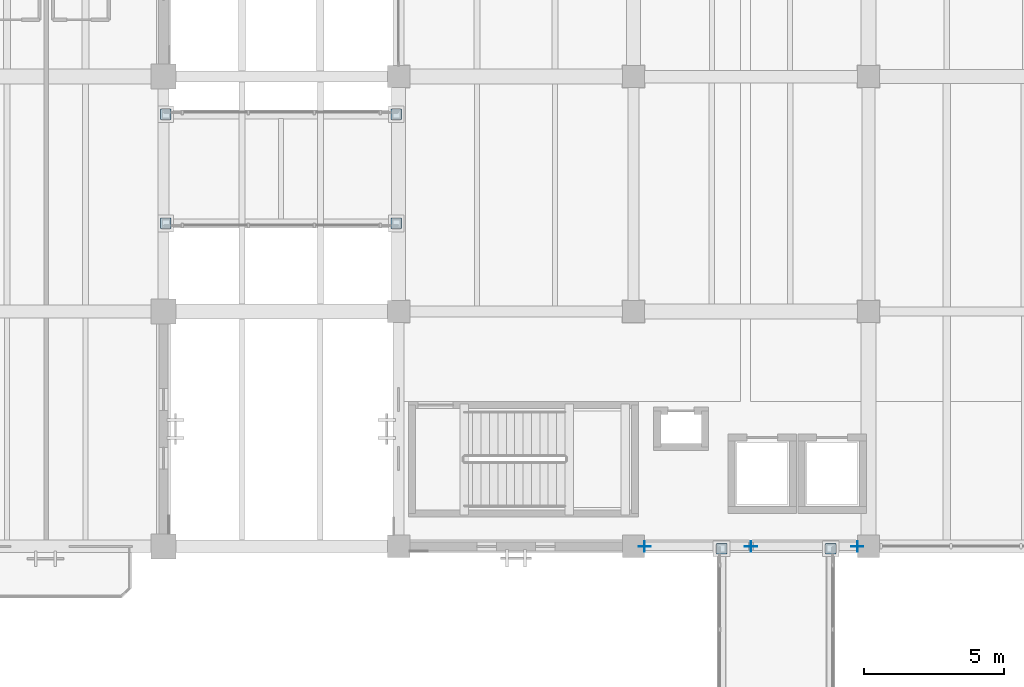
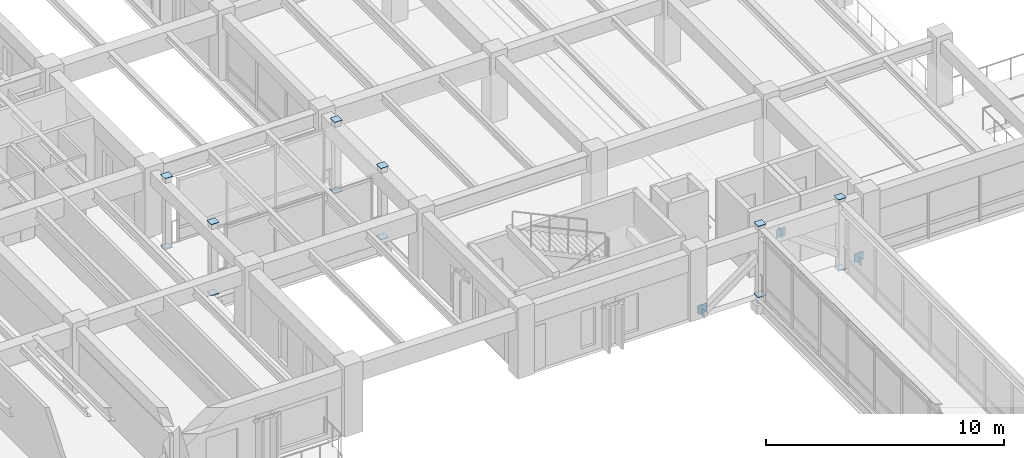
# One storey, part 62 of 118: 18 plates.
"""IFC4 building model written with IfcOpenShell, lengths in metres."""

from ifc_helpers import new_model, si_unit, direction, frame, origin, origin_2d, place, context, subcontext, project, spatial, rectangle, extrude, material, layer, layer_set, type_object, element, save


model = new_model("IFC4")

# Units and contexts
model_context = context("Model", 3, precision=1e-05, world=origin(), true_north=direction((0.0, 1.0)))
body_context = subcontext(model_context, "Body", "Model", "MODEL_VIEW")
ifc_project = project(units=[si_unit("LENGTHUNIT", "METRE"), si_unit("AREAUNIT", "SQUARE_METRE"), si_unit("VOLUMEUNIT", "CUBIC_METRE"), si_unit("PLANEANGLEUNIT", "RADIAN"), si_unit("MASSUNIT", "GRAM", prefix="KILO")], contexts=[model_context])

# Site, building, storey
site_placement = place(None, origin())
site = spatial("IfcSite", under=ifc_project, at=site_placement, CompositionType="ELEMENT")
building_placement = place(site_placement, origin())
building = spatial("IfcBuilding", under=site, at=building_placement, Name="Cumbredor Promenade Congress Hotel", CompositionType="ELEMENT")
storey_placement = place(building_placement, frame((0.0, 0.0, 3.919921875)))
storey = spatial("IfcBuildingStorey", under=building, at=storey_placement, Name="L01", CompositionType="ELEMENT", Elevation=3.919921875)

# Plates
ifc_material = material(Name="Steel ASTM A572 Grade 50", Category="steel")
ifc_layer_1 = layer(ifc_material, 0.02001953125, Name="Steel ASTM A572 Grade 50", Category="steel")
ifc_layer_set_1 = layer_set([ifc_layer_1], Name="Steel ASTM A572 Grade 50")
plate_type_1 = type_object("IfcPlateType", Name="Hollow Section End Cap Plate CP-04", PredefinedType="USERDEFINED", material=ifc_layer_set_1)
for number, where, z_axis, x_axis, name in (
    (1, (101.193603515625, 84.0, -0.194580078125), (0.0, 0.0, 1.0), (1.0, 0.0, 0.0), "L01 Chevron Seismic Brace 16A Start Cap Plate"),
    (2, (105.006591796875, 84.0, 2.56494140625), (0.0, 0.0, 1.0), (1.0, 0.0, 0.0), "L01 Chevron Seismic Brace 16A End Cap Plate"),
    (3, (108.806396484375, 84.0, -0.194580078125), (0.0, 0.0, 1.0), (-1.0, 0.0, 0.0), "L01 Chevron Seismic Brace 16B Start Cap Plate"),
):
    element("IfcPlate", number, at=place(storey_placement, frame(where, z_axis=z_axis, x_axis=x_axis)), inside=storey, type_object=plate_type_1, Name=name, ObjectType="CAP PLATE", PredefinedType="USERDEFINED", context=body_context, shape_type="SweptSolid", body=[
        extrude(rectangle(XDim=0.02001953125, YDim=0.3798828125, at=origin_2d()), origin(), (0.0, 0.0, 1.0), 0.3798828125),
    ])
for number, where, z_axis, x_axis, name in (
    (4, (103.949951171875, 83.919921875, -0.017822265625), (0.0, 0.0, 1.0), (1.0, 0.0, 0.0), "L01 Central Reflecting-Pool Promenade Bridge Support Column 3 Start Cap Plate"),
    (5, (103.949951171875, 83.919921875, 3.63818359375), (0.0, 0.0, 1.0), (1.0, 0.0, 0.0), "L01 Central Reflecting-Pool Promenade Bridge Support Column 3 End Cap Plate"),
    (6, (107.85009765625, 83.919921875, -0.017822265625), (0.0, 0.0, 1.0), (1.0, 0.0, 0.0), "L01 Central Reflecting-Pool Promenade Bridge Support Column 4 Start Cap Plate"),
    (7, (107.85009765625, 83.919921875, 3.63818359375), (0.0, 0.0, 1.0), (1.0, 0.0, 0.0), "L01 Central Reflecting-Pool Promenade Bridge Support Column 4 End Cap Plate"),
    (8, (84.080078125, 95.550048828125, -0.017822265625), (0.0, 0.0, 1.0), (1.0, 0.0, 0.0), "L01 North Hotel-to-Forum Glazed Bridge Support Column 1 Start Cap Plate"),
    (9, (84.080078125, 95.550048828125, 3.63818359375), (0.0, 0.0, 1.0), (1.0, 0.0, 0.0), "L01 North Hotel-to-Forum Glazed Bridge Support Column 1 End Cap Plate"),
    (10, (84.080078125, 99.449951171875, -0.017822265625), (0.0, 0.0, 1.0), (1.0, 0.0, 0.0), "L01 North Hotel-to-Forum Glazed Bridge Support Column 2 Start Cap Plate"),
    (11, (84.080078125, 99.449951171875, 3.63818359375), (0.0, 0.0, 1.0), (1.0, 0.0, 0.0), "L01 North Hotel-to-Forum Glazed Bridge Support Column 2 End Cap Plate"),
    (12, (92.320068359375, 95.550048828125, -0.017822265625), (0.0, 0.0, 1.0), (1.0, 0.0, 0.0), "L01 North Hotel-to-Forum Glazed Bridge Support Column 3 Start Cap Plate"),
    (13, (92.320068359375, 95.550048828125, 3.63818359375), (0.0, 0.0, 1.0), (1.0, 0.0, 0.0), "L01 North Hotel-to-Forum Glazed Bridge Support Column 3 End Cap Plate"),
    (14, (92.320068359375, 99.449951171875, -0.017822265625), (0.0, 0.0, 1.0), (1.0, 0.0, 0.0), "L01 North Hotel-to-Forum Glazed Bridge Support Column 4 Start Cap Plate"),
    (15, (92.320068359375, 99.449951171875, 3.63818359375), (0.0, 0.0, 1.0), (1.0, 0.0, 0.0), "L01 North Hotel-to-Forum Glazed Bridge Support Column 4 End Cap Plate"),
):
    element("IfcPlate", number, at=place(storey_placement, frame(where, z_axis=z_axis, x_axis=x_axis)), inside=storey, type_object=plate_type_1, Name=name, ObjectType="CAP PLATE", PredefinedType="USERDEFINED", context=body_context, shape_type="SweptSolid", body=[
        extrude(rectangle(XDim=0.3798828125, YDim=0.3798828125, at=origin_2d()), origin(), (0.0, 0.0, 1.0), 0.02001953125),
    ])
ifc_layer_2 = layer(ifc_material, 0.028076171875, Name="Steel ASTM A572 Grade 50", Category="steel")
ifc_layer_set_2 = layer_set([ifc_layer_2], Name="Steel ASTM A572 Grade 50")
plate_type_2 = type_object("IfcPlateType", Name="Space Frame Node Assembly ND-03", PredefinedType="USERDEFINED", material=ifc_layer_set_2)
for number, where, z_axis, x_axis, name in (
    (16, (101.199951171875, 84.0, -0.039794921875), (0.0, 0.0, 1.0), (1.0, 0.0, 0.0), "L01 Seismic Frame Gusset Plate 16-BL"),
    (17, (108.800048828125, 84.0, -0.039794921875), (0.0, 0.0, 1.0), (1.0, 0.0, 0.0), "L01 Seismic Frame Gusset Plate 16-BR"),
    (18, (105.0, 84.0, 2.530029296875), (0.0, 0.0, 1.0), (1.0, 0.0, 0.0), "L01 Seismic Frame Gusset Plate 16-APX"),
):
    element("IfcPlate", number, at=place(storey_placement, frame(where, z_axis=z_axis, x_axis=x_axis)), inside=storey, type_object=plate_type_2, Name=name, ObjectType="GUSSET PLATE", PredefinedType="USERDEFINED", context=body_context, shape_type="SweptSolid", body=[
        extrude(rectangle(XDim=0.43994140625, YDim=0.028076171875, at=origin_2d()), origin(), (0.0, 0.0, 1.0), 0.43994140625),
    ])

save(model, "model.ifc")
